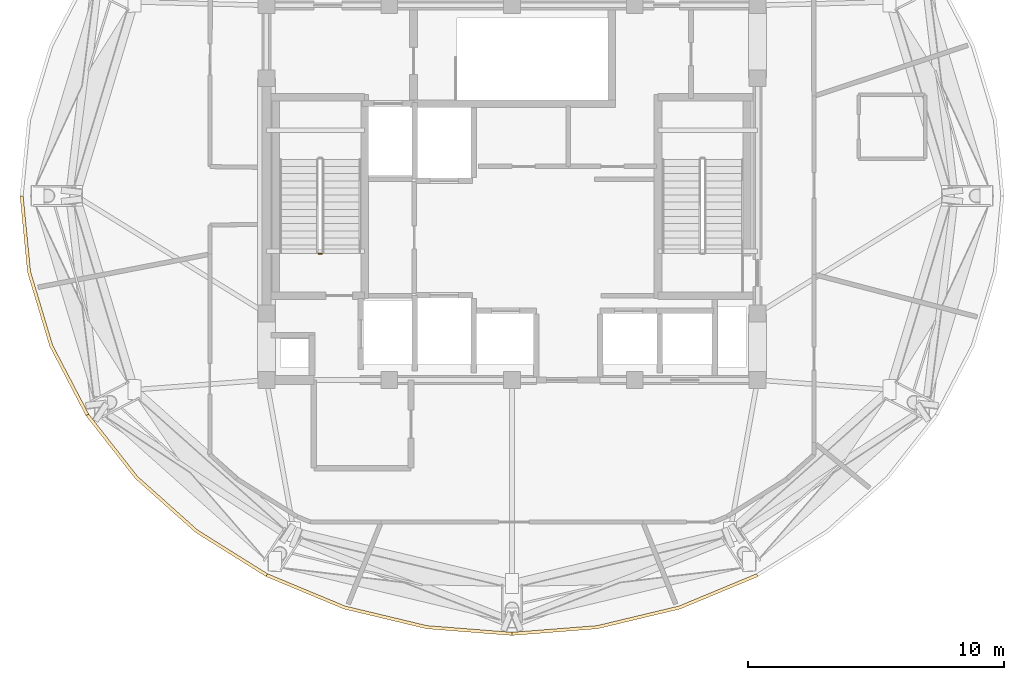
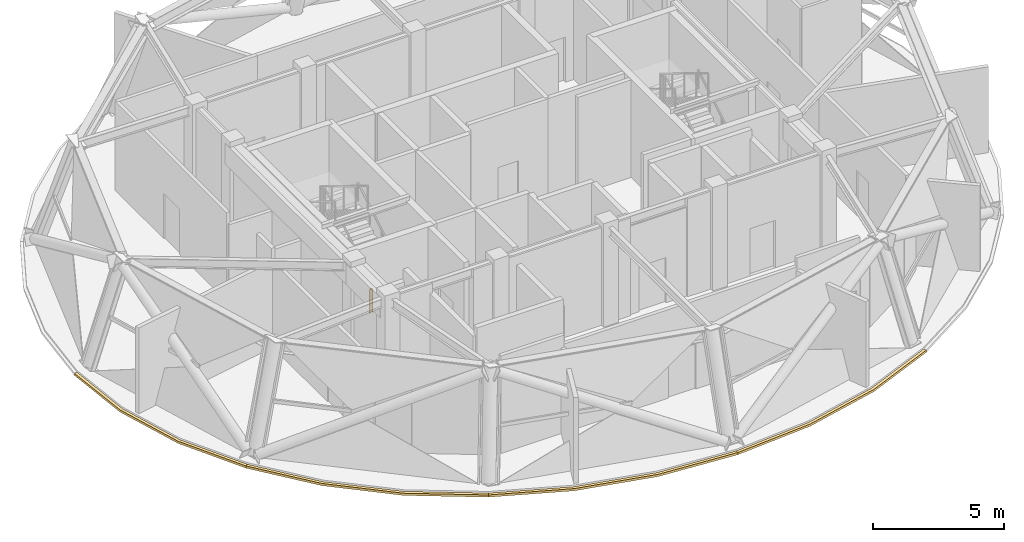
# One storey, part 8 of 11: 4 coverings, 1 railing.
"""IFC4 building model written with IfcOpenShell, lengths in metres."""

from ifc_helpers import new_model, si_unit, direction, frame, origin, origin_2d, place, context, subcontext, project, spatial, polyline, rectangle, outline, extrude, material, layer, layer_set, type_object, element, save


model = new_model("IFC4")

# Units and contexts
model_context = context("Model", 3, precision=1e-05, world=origin(), true_north=direction((0.0, 1.0)))
body_context = subcontext(model_context, "Body", "Model", "MODEL_VIEW")
ifc_project = project(units=[si_unit("LENGTHUNIT", "METRE"), si_unit("AREAUNIT", "SQUARE_METRE"), si_unit("VOLUMEUNIT", "CUBIC_METRE"), si_unit("PLANEANGLEUNIT", "RADIAN"), si_unit("MASSUNIT", "GRAM", prefix="KILO")], contexts=[model_context])

# Site, building, storey
site_placement = place(None, origin())
site = spatial("IfcSite", under=ifc_project, at=site_placement, CompositionType="ELEMENT")
building_placement = place(site_placement, origin())
building = spatial("IfcBuilding", under=site, at=building_placement, Name="Vantalir Tower", CompositionType="ELEMENT")
storey_placement = place(building_placement, frame((0.0, 0.0, 299.699951171875)))
storey = spatial("IfcBuildingStorey", under=building, at=storey_placement, Name="L75", CompositionType="ELEMENT", Elevation=299.699951171875)

# Coverings
ifc_material_1 = material(Name="Anodised champagne aluminium sill fascia", Category="aluminium")
ifc_layer = layer(ifc_material_1, 0.125)
ifc_layer_set = layer_set([ifc_layer], Name="Anodised champagne aluminium sill fascia")
covering_type = type_object("IfcCoveringType", Name="COV-SLAB-FASCIA-125", PredefinedType="CLADDING", material=ifc_layer_set)
covering_1_placement = place(storey_placement, frame((0.0, 0.0, -0.179931640625)))
element("IfcCovering", 1, at=covering_1_placement, inside=storey, type_object=covering_type, Name="L75 Perimeter Slab-Edge Sill Fascia 07", PredefinedType="CLADDING", context=body_context, shape_type="SweptSolid", body=[
    extrude(outline(polyline([(12.264892578125, 25.0), (12.556884765625, 22.01611328125), (13.425048828125, 19.1220703125), (14.842041015625, 16.406005859375), (14.949951171875, 16.468994140625), (13.5419921875, 19.1640625), (12.679931640625, 22.037109375), (12.389892578125, 25.0), (12.264892578125, 25.0)])), origin(), (0.0, 0.0, 1.0), 0.10498046875),
])
covering_2_placement = place(storey_placement, frame((0.0, 0.0, -0.179931640625)))
element("IfcCovering", 2, at=covering_2_placement, inside=storey, type_object=covering_type, Name="L75 Perimeter Slab-Edge Sill Fascia 08", PredefinedType="CLADDING", context=body_context, shape_type="SweptSolid", body=[
    extrude(outline(polyline([(14.842041015625, 16.406005859375), (16.764892578125, 13.951904296875), (19.135986328125, 11.833984375), (21.882080078125, 10.115966796875), (21.945068359375, 10.22412109375), (19.216064453125, 11.929931640625), (16.861083984375, 14.032958984375), (14.949951171875, 16.468994140625), (14.842041015625, 16.406005859375)])), origin(), (0.0, 0.0, 1.0), 0.10498046875),
])
covering_3_placement = place(storey_placement, frame((0.0, 0.0, -0.179931640625)))
element("IfcCovering", 3, at=covering_3_placement, inside=storey, type_object=covering_type, Name="L75 Perimeter Slab-Edge Sill Fascia 09", PredefinedType="CLADDING", context=body_context, shape_type="SweptSolid", body=[
    extrude(outline(polyline([(21.882080078125, 10.115966796875), (24.9208984375, 8.85009765625), (28.159912109375, 8.073974609375), (31.5, 7.81298828125), (31.5, 7.93798828125), (28.181884765625, 8.197021484375), (24.964111328125, 8.967041015625), (21.945068359375, 10.22412109375), (21.882080078125, 10.115966796875)])), origin(), (0.0, 0.0, 1.0), 0.10498046875),
])
covering_4_placement = place(storey_placement, frame((0.0, 0.0, -0.179931640625)))
element("IfcCovering", 4, at=covering_4_placement, inside=storey, type_object=covering_type, Name="L75 Perimeter Slab-Edge Sill Fascia 10", PredefinedType="CLADDING", context=body_context, shape_type="SweptSolid", body=[
    extrude(outline(polyline([(31.5, 7.81298828125), (34.840087890625, 8.073974609375), (38.0791015625, 8.85009765625), (41.117919921875, 10.115966796875), (41.054931640625, 10.22412109375), (38.035888671875, 8.967041015625), (34.818115234375, 8.197021484375), (31.5, 7.93798828125), (31.5, 7.81298828125)])), origin(), (0.0, 0.0, 1.0), 0.10498046875),
])

# Railing
ifc_material_2 = material(Name="Anodised aluminium and stainless steel guard", Category="steel")
railing_type = type_object("IfcRailingType", Name="RAL-GUARD-1120", PredefinedType="GUARDRAIL", material=ifc_material_2)
railing_placement = place(storey_placement, frame((24.06005859375, 22.739990234375, 0.0)))
element("IfcRailing", 5, at=railing_placement, inside=storey, type_object=railing_type, Name="L75 ST1 stair guard 4", PredefinedType="GUARDRAIL", context=body_context, shape_type="SweptSolid", body=[
    extrude(rectangle(XDim=0.048095703125, YDim=0.048095703125, at=origin_2d()), frame((0.0, 0.0, 1.09619140625), z_axis=(-1.0, 0.0, 0.0), x_axis=(0.0, -1.0, 0.0)), (0.0, 0.0, 1.0), 0.1201171875),
    extrude(rectangle(XDim=0.0419921875, YDim=0.0419921875, at=origin_2d()), origin(), (0.0, 0.0, 1.0), 1.072021484375),
    extrude(rectangle(XDim=0.0419921875, YDim=0.0419921875, at=origin_2d()), frame((-0.1201171875, 0.0, 0.0)), (0.0, 0.0, 1.0), 1.072021484375),
])

save(model, "model.ifc")
